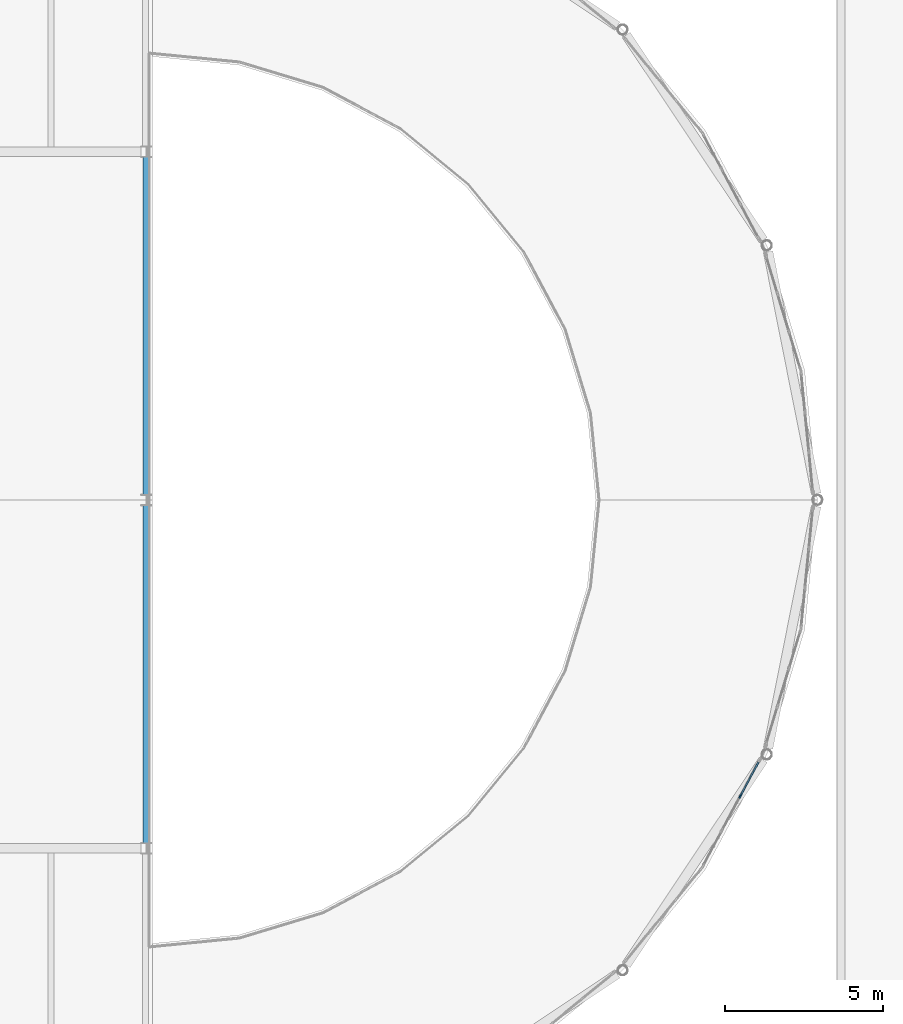
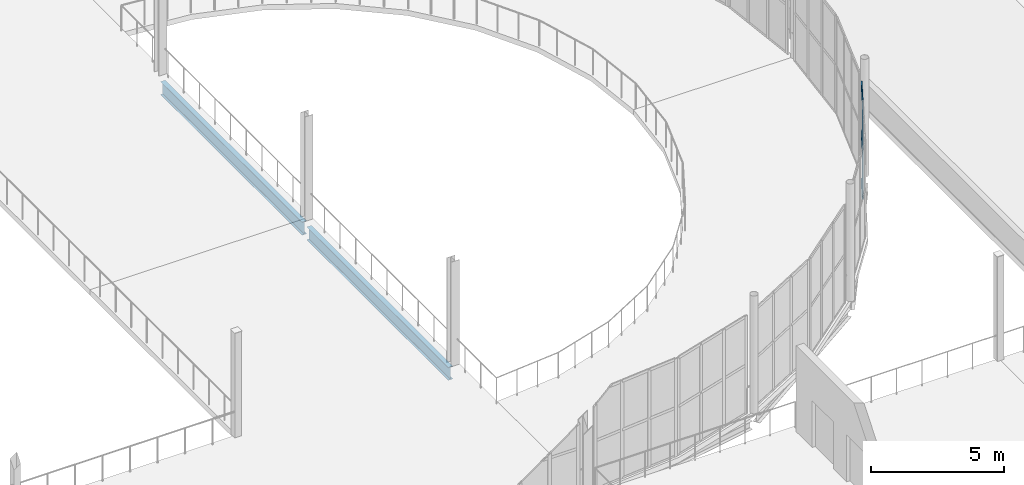
# One storey, part 63 of 112: 4 members, 2 beams, 1 element without a shape of its own.
"""IFC4 building model written with IfcOpenShell, lengths in metres."""

from ifc_helpers import new_model, si_unit, direction, frame, origin, origin_2d, place, context, subcontext, project, spatial, rectangle, i_section, extrude, material, layer, layer_set, material_profile, profile_set, type_object, element, aggregate, save


model = new_model("IFC4")

# Units and contexts
model_context = context("Model", 3, precision=1e-05, world=origin(), true_north=direction((0.0, 1.0)))
body_context = subcontext(model_context, "Body", "Model", "MODEL_VIEW")
ifc_project = project(units=[si_unit("LENGTHUNIT", "METRE"), si_unit("AREAUNIT", "SQUARE_METRE"), si_unit("VOLUMEUNIT", "CUBIC_METRE"), si_unit("PLANEANGLEUNIT", "RADIAN"), si_unit("MASSUNIT", "GRAM", prefix="KILO")], contexts=[model_context])

# Site, building, storey
site_placement = place(None, origin())
site = spatial("IfcSite", under=ifc_project, at=site_placement, CompositionType="ELEMENT")
building_placement = place(site_placement, origin())
building = spatial("IfcBuilding", under=site, at=building_placement, Name="Yeouljin Market Hall", CompositionType="ELEMENT")
storey_placement = place(building_placement, frame((0.0, 0.0, 6.0)))
storey = spatial("IfcBuildingStorey", under=building, at=storey_placement, Name="L01", CompositionType="ELEMENT", Elevation=6.0)

# Beams
ifc_material_1 = material(Name="Steel SM355", Category="steel")
ifc_material_profile_1 = material_profile(ifc_material_1, i_section(OverallWidth=0.199951171875, OverallDepth=0.60009765625, WebThickness=0.010986328125, FlangeThickness=0.01708984375, FilletRadius=0.02197265625, at=origin_2d()), Name="H-600x200x11x17")
ifc_profile_set_1 = profile_set([ifc_material_profile_1], Name="Steel SM355")
beam_type = type_object("IfcBeamType", Name="Beam_H-600x200x11x17", PredefinedType="BEAM", material=ifc_profile_set_1)
for number, where, z_axis, x_axis, name in (
    (1, (140.81005859375, 46.175048828125, -0.570068359375), (0.0, 1.0, 0.0), (-1.0, 0.0, 0.0), "Primary beam BM-L01-Y212"),
    (2, (140.81005859375, 57.175048828125, -0.570068359375), (0.0, 1.0, 0.0), (-1.0, 0.0, 0.0), "Primary beam BM-L01-Y213"),
):
    element("IfcBeam", number, at=place(storey_placement, frame(where, z_axis=z_axis, x_axis=x_axis)), inside=storey, type_object=beam_type, Name=name, PredefinedType="BEAM", context=body_context, shape_type="SweptSolid", body=[
        extrude(i_section(OverallWidth=0.199951171875, OverallDepth=0.60009765625, WebThickness=0.010986328125, FlangeThickness=0.01708984375, FilletRadius=0.02197265625, at=origin_2d()), origin(), (0.0, 0.0, 1.0), 10.64990234375),
    ])

# Curtain wall, members
ifc_material_2 = material(Name="Thermally Broken Aluminium", Category="aluminium")
ifc_layer = layer(ifc_material_2, 0.179931640625)
ifc_layer_set = layer_set([ifc_layer], Name="Thermally Broken Aluminium")
curtain_wall_type = type_object("IfcCurtainWallType", Name="CW_ApseCurved_System", PredefinedType="USERDEFINED", material=ifc_layer_set)
curtain_wall_placement = place(storey_placement, origin())
curtain_wall = element("IfcCurtainWall", 3, at=curtain_wall_placement, inside=storey, type_object=curtain_wall_type, Name="Curtain wall CW-AP-EL01-06", ObjectType="CURTAIN WALL", PredefinedType="USERDEFINED")
ifc_material_3 = material(Name="Thermally Broken Aluminium", Category="aluminium")
ifc_material_profile_2 = material_profile(ifc_material_3, rectangle(XDim=0.048095703125, YDim=0.14990234375, at=origin_2d()), Name="CW-MULL-48x150")
ifc_profile_set_2 = profile_set([ifc_material_profile_2], Name="Thermally Broken Aluminium")
member_type_1 = type_object("IfcMemberType", Name="CWMullion_48x150", PredefinedType="MULLION", material=ifc_profile_set_2)
member_1_placement = place(storey_placement, frame((159.565673828125, 47.653564453125, 0.0), z_axis=(0.0, 0.0, 1.0), x_axis=(0.881931478712, -0.471377626598, 0.0)))
member_1 = element("IfcMember", 4, at=member_1_placement, type_object=member_type_1, Name="CW-03 mullion 2", PredefinedType="MULLION", context=body_context, shape_type="SweptSolid", body=[
    extrude(rectangle(XDim=0.048095703125, YDim=0.14990234375, at=origin_2d()), origin(), (0.0, 0.0, 1.0), 4.5),
])
ifc_material_4 = material(Name="Thermally Broken Aluminium", Category="aluminium")
ifc_material_profile_3 = material_profile(ifc_material_4, rectangle(XDim=0.048095703125, YDim=0.1201171875, at=origin_2d()), Name="CW-TRAN-48x120")
ifc_profile_set_3 = profile_set([ifc_material_profile_3], Name="Thermally Broken Aluminium")
member_type_2 = type_object("IfcMemberType", Name="CWTransom_48x120", PredefinedType="USERDEFINED", material=ifc_profile_set_3)
member_2_placement = place(storey_placement, frame((160.135986328125, 48.720458984375, 0.02392578125), z_axis=(-0.471261307391, -0.881993639521, 0.0), x_axis=(0.881993639521, -0.471261307391, 0.0)))
member_2 = element("IfcMember", 5, at=member_2_placement, type_object=member_type_2, Name="CW-03 transom 1.1", ObjectType="TRANSOM", PredefinedType="USERDEFINED", context=body_context, shape_type="SweptSolid", body=[
    extrude(rectangle(XDim=0.048095703125, YDim=0.1201171875, at=origin_2d()), origin(), (0.0, 0.0, 1.0), 1.185791015625),
])
member_3_placement = place(storey_placement, frame((160.135986328125, 48.720458984375, 2.25), z_axis=(-0.471261307391, -0.881993639521, 0.0), x_axis=(0.881993639521, -0.471261307391, 0.0)))
member_3 = element("IfcMember", 6, at=member_3_placement, type_object=member_type_2, Name="CW-03 transom 1.2", ObjectType="TRANSOM", PredefinedType="USERDEFINED", context=body_context, shape_type="SweptSolid", body=[
    extrude(rectangle(XDim=0.048095703125, YDim=0.1201171875, at=origin_2d()), origin(), (0.0, 0.0, 1.0), 1.185791015625),
])
member_4_placement = place(storey_placement, frame((160.135986328125, 48.720458984375, 4.47607421875), z_axis=(-0.471261307391, -0.881993639521, 0.0), x_axis=(0.881993639521, -0.471261307391, 0.0)))
member_4 = element("IfcMember", 7, at=member_4_placement, type_object=member_type_2, Name="CW-03 transom 1.3", ObjectType="TRANSOM", PredefinedType="USERDEFINED", context=body_context, shape_type="SweptSolid", body=[
    extrude(rectangle(XDim=0.048095703125, YDim=0.1201171875, at=origin_2d()), origin(), (0.0, 0.0, 1.0), 1.185791015625),
])
aggregate(curtain_wall, [member_1, member_2, member_3, member_4])

save(model, "model.ifc")
